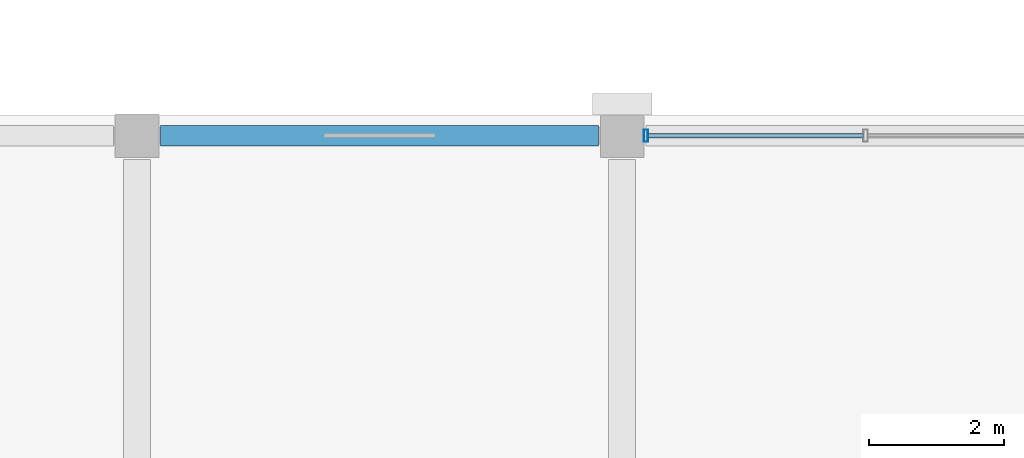
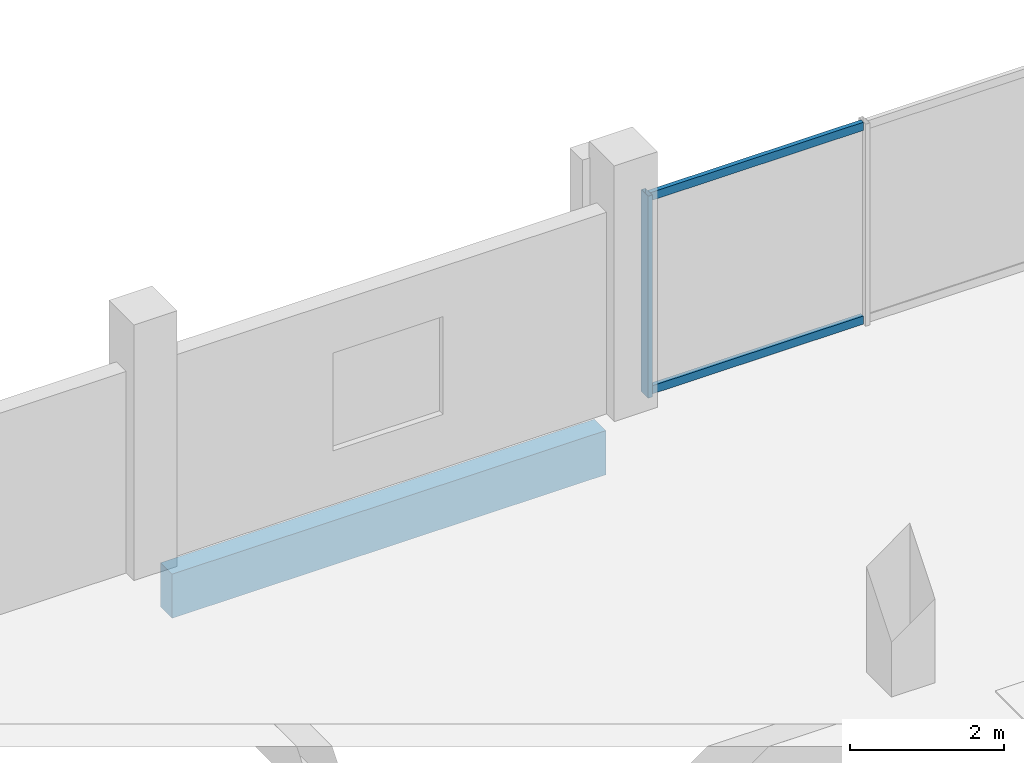
# One storey, part 35 of 107: 3 members, 1 beam, 1 element without a shape of its own.
"""IFC4 building model written with IfcOpenShell, lengths in metres."""

from ifc_helpers import new_model, si_unit, direction, frame, origin, origin_2d, place, context, subcontext, project, spatial, rectangle, hollow_rectangle, extrude, material, layer, layer_set, material_profile, profile_set, type_object, element, aggregate, save


model = new_model("IFC4")

# Units and contexts
model_context = context("Model", 3, precision=1e-05, world=origin(), true_north=direction((0.0, 1.0)))
body_context = subcontext(model_context, "Body", "Model", "MODEL_VIEW")
ifc_project = project(units=[si_unit("LENGTHUNIT", "METRE"), si_unit("AREAUNIT", "SQUARE_METRE"), si_unit("VOLUMEUNIT", "CUBIC_METRE"), si_unit("PLANEANGLEUNIT", "RADIAN"), si_unit("MASSUNIT", "GRAM", prefix="KILO")], contexts=[model_context])

# Site, building, storey
site_placement = place(None, origin())
site = spatial("IfcSite", under=ifc_project, at=site_placement, CompositionType="ELEMENT")
building_placement = place(site_placement, origin())
building = spatial("IfcBuilding", under=site, at=building_placement, Name="Kangsadwip Square Police Headquarters", CompositionType="ELEMENT")
storey_placement = place(building_placement, frame((0.0, 0.0, 5.39990234375)))
storey = spatial("IfcBuildingStorey", under=building, at=storey_placement, Name="L01", CompositionType="ELEMENT", Elevation=5.39990234375)

# Curtain wall, members
ifc_material_1 = material(Name="Thermally broken anodised aluminium AW-6063-T6", Category="aluminium")
ifc_layer = layer(ifc_material_1, 0.159912109375)
ifc_layer_set = layer_set([ifc_layer], Name="Thermally broken anodised aluminium AW-6063-T6")
curtain_wall_type = type_object("IfcCurtainWallType", Name="UnitisedCw6585x3200", PredefinedType="NOTDEFINED", material=ifc_layer_set)
curtain_wall_placement = place(storey_placement, origin())
curtain_wall = element("IfcCurtainWall", 1, at=curtain_wall_placement, inside=storey, type_object=curtain_wall_type, Name="Curtain Wall CW-L01-0291-1152", PredefinedType="NOTDEFINED")
ifc_material_2 = material(Name="Thermally broken anodised aluminium AW-6063-T6", Category="aluminium")
ifc_material_profile_1 = material_profile(ifc_material_2, hollow_rectangle(XDim=0.06494140625, YDim=0.179931640625, WallThickness=0.00390625, at=origin_2d()), Name="CWM 180X65X4")
ifc_profile_set_1 = profile_set([ifc_material_profile_1], Name="Thermally broken anodised aluminium AW-6063-T6")
member_type_1 = type_object("IfcMemberType", Name="CwMullion160x65", PredefinedType="MULLION", material=ifc_profile_set_1)
member_1_placement = place(storey_placement, frame((29.152587890625, 115.199951171875, 0.0), z_axis=(0.0, 0.0, 1.0), x_axis=(1.0, 0.0, 0.0)))
member_1 = element("IfcMember", 2, at=member_1_placement, type_object=member_type_1, Name="CW-21 mullion 1", PredefinedType="MULLION", context=body_context, shape_type="SweptSolid", body=[
    extrude(hollow_rectangle(XDim=0.06494140625, YDim=0.179931640625, WallThickness=0.00390625, at=origin_2d()), origin(), (0.0, 0.0, 1.0), 3.2001953125),
])
ifc_material_3 = material(Name="Thermally broken anodised aluminium AW-6063-T6", Category="aluminium")
ifc_material_profile_2 = material_profile(ifc_material_3, hollow_rectangle(XDim=0.06494140625, YDim=0.1298828125, WallThickness=0.00390625, at=origin_2d()), Name="CWT 130X65X4")
ifc_profile_set_2 = profile_set([ifc_material_profile_2], Name="Thermally broken anodised aluminium AW-6063-T6")
member_type_2 = type_object("IfcMemberType", Name="CwTransom140x60", PredefinedType="USERDEFINED", material=ifc_profile_set_2)
member_2_placement = place(storey_placement, frame((29.18505859375, 115.199951171875, 0.065185546875), z_axis=(1.0, 0.0, 0.0), x_axis=(0.0, 1.0, 0.0)))
member_2 = element("IfcMember", 3, at=member_2_placement, type_object=member_type_2, Name="CW-21 transom 1.1", ObjectType="TRANSOM", PredefinedType="USERDEFINED", context=body_context, shape_type="SweptSolid", body=[
    extrude(hollow_rectangle(XDim=0.06494140625, YDim=0.1298828125, WallThickness=0.00390625, at=origin_2d()), origin(), (0.0, 0.0, 1.0), 3.19482421875),
])
member_3_placement = place(storey_placement, frame((29.18505859375, 115.199951171875, 3.135009765625), z_axis=(1.0, 0.0, 0.0), x_axis=(0.0, 1.0, 0.0)))
member_3 = element("IfcMember", 4, at=member_3_placement, type_object=member_type_2, Name="CW-21 transom 1.2", ObjectType="TRANSOM", PredefinedType="USERDEFINED", context=body_context, shape_type="SweptSolid", body=[
    extrude(hollow_rectangle(XDim=0.06494140625, YDim=0.1298828125, WallThickness=0.00390625, at=origin_2d()), origin(), (0.0, 0.0, 1.0), 3.19482421875),
])
aggregate(curtain_wall, [member_1, member_2, member_3])

# Beam
ifc_material_4 = material(Name="Concrete M40 (40 MPa)", Category="concrete")
ifc_material_profile_3 = material_profile(ifc_material_4, rectangle(XDim=0.300048828125, YDim=0.699951171875, at=origin_2d()), Name="RC SPN 700X300")
ifc_profile_set_3 = profile_set([ifc_material_profile_3], Name="Concrete M40 (40 MPa)")
beam_type = type_object("IfcBeamType", Name="RcSpandrel700x300", PredefinedType="SPANDREL", material=ifc_profile_set_3)
beam_placement = place(storey_placement, frame((21.949951171875, 115.199951171875, -0.58984375), z_axis=(1.0, 0.0, 0.0), x_axis=(0.0, 1.0, 0.0)))
element("IfcBeam", 5, at=beam_placement, inside=storey, type_object=beam_type, Name="Beam BM-L01-X-03-16", PredefinedType="SPANDREL", context=body_context, shape_type="SweptSolid", body=[
    extrude(rectangle(XDim=0.300048828125, YDim=0.699951171875, at=origin_2d()), origin(), (0.0, 0.0, 1.0), 6.5),
])

save(model, "model.ifc")
